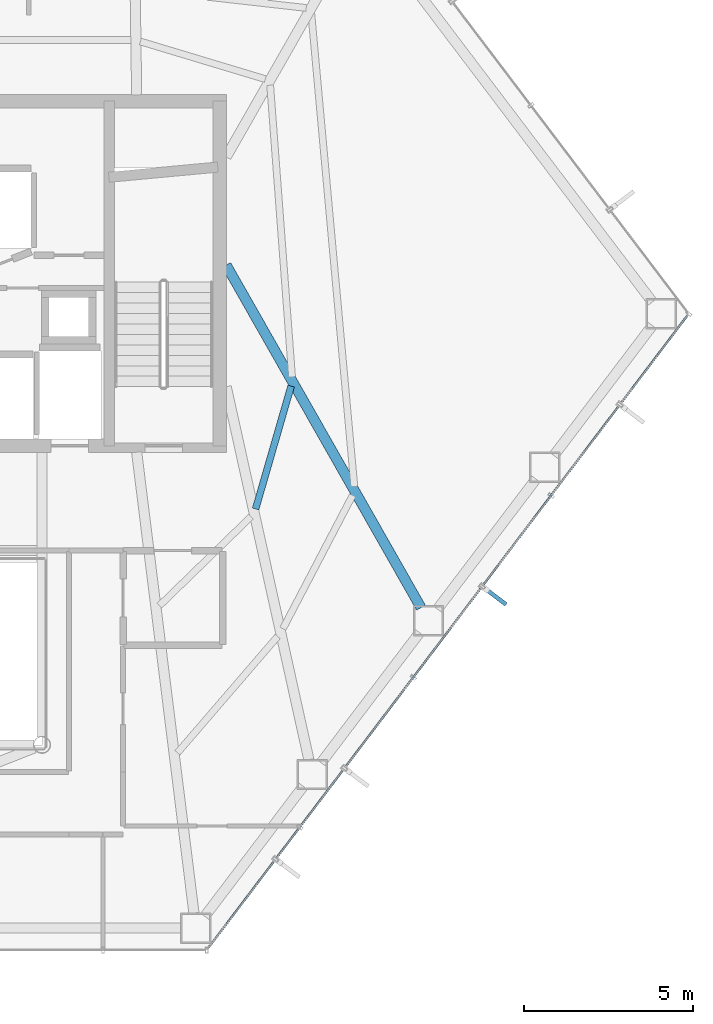
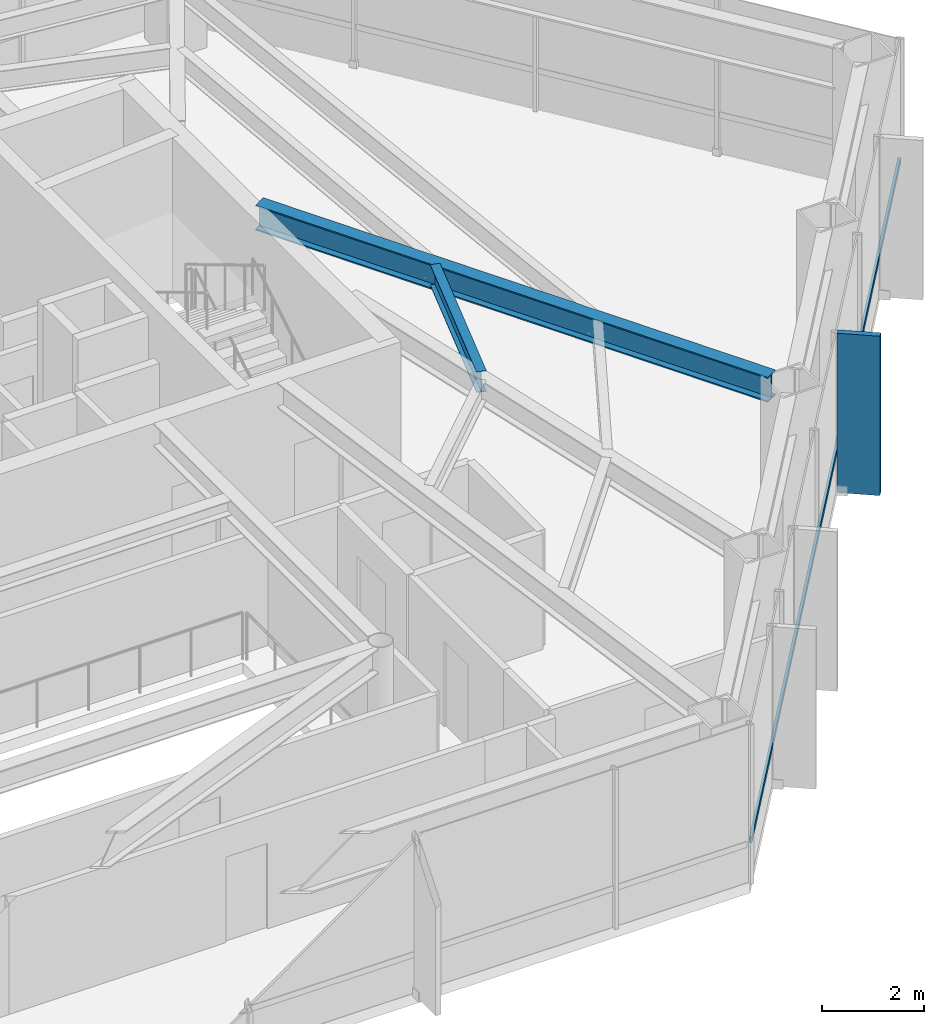
# One storey, part 15 of 24: 2 beams, 2 members, 1 element without a shape of its own.
"""IFC4 building model written with IfcOpenShell, lengths in metres."""

from ifc_helpers import new_model, si_unit, direction, frame, origin, origin_2d, place, context, subcontext, project, spatial, rectangle, hollow_rectangle, i_section, extrude, material, layer, layer_set, material_profile, profile_set, type_object, element, aggregate, save


model = new_model("IFC4")

# Units and contexts
model_context = context("Model", 3, precision=1e-05, world=origin(), true_north=direction((0.0, 1.0)))
body_context = subcontext(model_context, "Body", "Model", "MODEL_VIEW")
ifc_project = project(units=[si_unit("LENGTHUNIT", "METRE"), si_unit("AREAUNIT", "SQUARE_METRE"), si_unit("VOLUMEUNIT", "CUBIC_METRE"), si_unit("PLANEANGLEUNIT", "RADIAN"), si_unit("MASSUNIT", "GRAM", prefix="KILO")], contexts=[model_context])

# Site, building, storey
site_placement = place(None, origin())
site = spatial("IfcSite", under=ifc_project, at=site_placement, CompositionType="ELEMENT")
building_placement = place(site_placement, origin())
building = spatial("IfcBuilding", under=site, at=building_placement, Name="Zarrinselat Tower", CompositionType="ELEMENT")
storey_placement = place(building_placement, frame((0.0, 0.0, 96.89990234375)))
storey = spatial("IfcBuildingStorey", under=building, at=storey_placement, Name="L23", CompositionType="ELEMENT", Elevation=96.89990234375)

# Beams
ifc_material_1 = material(Name="Steel S355J2", Category="steel")
ifc_material_profile_1 = material_profile(ifc_material_1, i_section(OverallWidth=0.300048828125, OverallDepth=0.60009765625, WebThickness=0.015380859375, FlangeThickness=0.030029296875, at=origin_2d()), Name="HEB 600")
ifc_profile_set_1 = profile_set([ifc_material_profile_1], Name="Steel S355J2")
beam_type_1 = type_object("IfcBeamType", Name="BM-HEB600", PredefinedType="BEAM", material=ifc_profile_set_1)
beam_1_placement = place(storey_placement, frame((48.449951171875, 38.60009765625, 3.52001953125), z_axis=(0.494316490871, -0.869282006516, 0.0), x_axis=(0.869282006516, 0.494316490871, 0.0)))
element("IfcBeam", 1, at=beam_1_placement, inside=storey, type_object=beam_type_1, Name="L23 Radial Primary Girder RG13", PredefinedType="BEAM", context=body_context, shape_type="SweptSolid", body=[
    extrude(i_section(OverallWidth=0.300048828125, OverallDepth=0.60009765625, WebThickness=0.015380859375, FlangeThickness=0.030029296875, at=origin_2d()), origin(), (0.0, 0.0, 1.0), 11.663818359375),
])
ifc_material_2 = material(Name="Steel S355J2", Category="steel")
ifc_material_profile_2 = material_profile(ifc_material_2, i_section(OverallWidth=0.199951171875, OverallDepth=0.5, WebThickness=0.01025390625, FlangeThickness=0.01611328125, at=origin_2d()), Name="IPE 500")
ifc_profile_set_2 = profile_set([ifc_material_profile_2], Name="Steel S355J2")
beam_type_2 = type_object("IfcBeamType", Name="BM-IPE500", PredefinedType="JOIST", material=ifc_profile_set_2)
beam_2_placement = place(storey_placement, frame((49.32080078125, 31.382080078125, 3.570068359375), z_axis=(0.277556851644, 0.960709214125, 0.0), x_axis=(-0.960709214125, 0.277556851644, 0.0)))
element("IfcBeam", 2, at=beam_2_placement, inside=storey, type_object=beam_type_2, Name="L23 Composite Floor Joist 4-2", PredefinedType="JOIST", context=body_context, shape_type="SweptSolid", body=[
    extrude(i_section(OverallWidth=0.199951171875, OverallDepth=0.5, WebThickness=0.01025390625, FlangeThickness=0.01611328125, at=origin_2d()), origin(), (0.0, 0.0, 1.0), 3.784912109375),
])

# Curtain wall, members
ifc_material_3 = material(Name="Extruded Aluminium Alloy EN AW-6063 T6", Category="aluminium")
ifc_layer = layer(ifc_material_3, 0.18505859375)
ifc_layer_set = layer_set([ifc_layer], Name="Extruded Aluminium Alloy EN AW-6063 T6")
curtain_wall_type = type_object("IfcCurtainWallType", Name="CWS-OFF", PredefinedType="NOTDEFINED", material=ifc_layer_set)
curtain_wall_placement = place(storey_placement, origin())
curtain_wall = element("IfcCurtainWall", 3, at=curtain_wall_placement, inside=storey, type_object=curtain_wall_type, Name="L23 Unitised Curtain Wall CW-L23-E05", PredefinedType="NOTDEFINED")
ifc_material_4 = material(Name="Extruded Aluminium Alloy EN AW-6063 T6", Category="aluminium")
ifc_material_profile_3 = material_profile(ifc_material_4, hollow_rectangle(XDim=0.06005859375, YDim=0.139892578125, WallThickness=0.00390625, at=origin_2d()), Name="RHS 140x60x4")
ifc_profile_set_3 = profile_set([ifc_material_profile_3], Name="Extruded Aluminium Alloy EN AW-6063 T6")
member_type_1 = type_object("IfcMemberType", Name="MEM-CW-TRN", PredefinedType="USERDEFINED", material=ifc_profile_set_3)
member_1_placement = place(storey_placement, frame((47.92822265625, 18.397216796875, 0.9501953125), z_axis=(0.603857687995, 0.797092148154, 0.0), x_axis=(-0.797092148154, 0.603857687995, 0.0)))
member_1 = element("IfcMember", 4, at=member_1_placement, type_object=member_type_1, Name="CW-L23-E05 Transom 1", ObjectType="TRANSOM", PredefinedType="USERDEFINED", context=body_context, shape_type="SweptSolid", body=[
    extrude(hollow_rectangle(XDim=0.06005859375, YDim=0.139892578125, WallThickness=0.00390625, at=origin_2d()), origin(), (0.0, 0.0, 1.0), 23.449462890625),
])
ifc_material_5 = material(Name="Honed Cream Travertine Stone", Category="masonry")
ifc_material_profile_4 = material_profile(ifc_material_5, rectangle(XDim=0.1201171875, YDim=0.85009765625, at=origin_2d()), Name="FIN 850x120")
ifc_profile_set_4 = profile_set([ifc_material_profile_4], Name="Honed Cream Travertine Stone")
member_type_2 = type_object("IfcMemberType", Name="MEM-STONE-FIN", PredefinedType="USERDEFINED", material=ifc_profile_set_4)
member_2_placement = place(storey_placement, frame((56.394287109375, 28.810546875, 0.0), z_axis=(0.0, 0.0, 1.0), x_axis=(-0.603858013909, -0.79709190125, 0.0)))
member_2 = element("IfcMember", 5, at=member_2_placement, type_object=member_type_2, Name="L23 Stone Shading Fin CW-L23-E05-05", ObjectType="FIN", PredefinedType="USERDEFINED", context=body_context, shape_type="SweptSolid", body=[
    extrude(rectangle(XDim=0.1201171875, YDim=0.85009765625, at=origin_2d()), origin(), (0.0, 0.0, 1.0), 3.820068359375),
])
aggregate(curtain_wall, [member_2, member_1])

save(model, "model.ifc")
